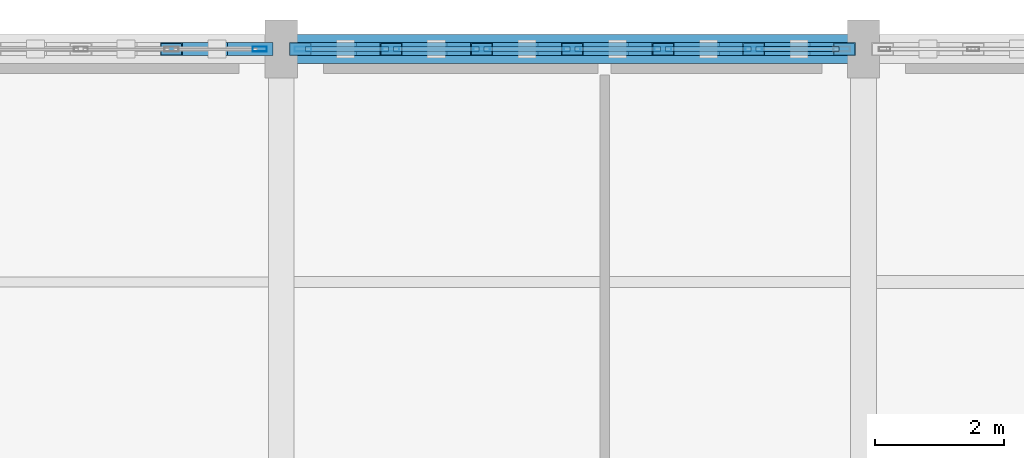
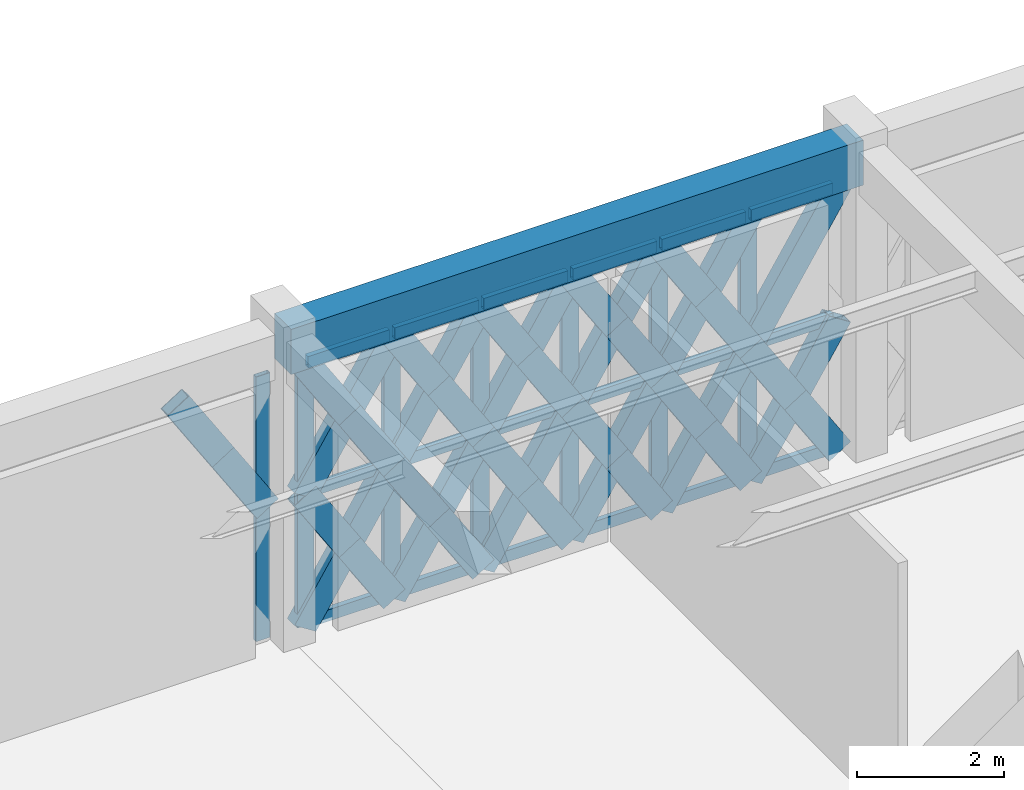
# One storey, part 44 of 86: 61 members, 1 beam, 2 elements without a shape of their own.
"""IFC4 building model written with IfcOpenShell, lengths in metres."""

from ifc_helpers import new_model, si_unit, direction, frame, origin, origin_2d, place, context, subcontext, project, spatial, rectangle, hollow_rectangle, extrude, material, material_profile, profile_set, type_object, element, aggregate, save


model = new_model("IFC4")

# Units and contexts
model_context = context("Model", 3, precision=1e-05, world=origin(), true_north=direction((0.0, 1.0)))
body_context = subcontext(model_context, "Body", "Model", "MODEL_VIEW")
ifc_project = project(units=[si_unit("LENGTHUNIT", "METRE"), si_unit("AREAUNIT", "SQUARE_METRE"), si_unit("VOLUMEUNIT", "CUBIC_METRE"), si_unit("PLANEANGLEUNIT", "RADIAN"), si_unit("MASSUNIT", "GRAM", prefix="KILO")], contexts=[model_context])

# Site, building, storey
site_placement = place(None, origin())
site = spatial("IfcSite", under=ifc_project, at=site_placement, CompositionType="ELEMENT")
building_placement = place(site_placement, origin())
building = spatial("IfcBuilding", under=site, at=building_placement, Name="Haizhuo Lancet Aquarium", CompositionType="ELEMENT")
storey_placement = place(building_placement, frame((0.0, 0.0, 16.199951171875)))
storey = spatial("IfcBuildingStorey", under=building, at=storey_placement, Name="L03", CompositionType="ELEMENT", Elevation=16.199951171875)

# Beam
ifc_material_1 = material(Name="Concrete C40/50", Category="concrete")
ifc_material_profile_1 = material_profile(ifc_material_1, rectangle(XDim=0.449951171875, YDim=0.75, at=origin_2d()), Name="RC-BM 450x750")
ifc_profile_set_1 = profile_set([ifc_material_profile_1], Name="Concrete C40/50")
beam_type = type_object("IfcBeamType", Name="BM-RC-450x750", PredefinedType="BEAM", material=ifc_profile_set_1)
beam_placement = place(storey_placement, frame((-9.0, 55.800048828125, 4.775146484375), z_axis=(1.0, 0.0, 0.0), x_axis=(0.0, 1.0, 0.0)))
element("IfcBeam", 1, at=beam_placement, inside=storey, type_object=beam_type, Name="L03 V5 primary girder BM-L03-V5-011", PredefinedType="BEAM", context=body_context, shape_type="SweptSolid", body=[
    extrude(rectangle(XDim=0.449951171875, YDim=0.75, at=origin_2d()), origin(), (0.0, 0.0, 1.0), 9.0),
])

# Curtain wall, member
ifc_material_2 = material(Name="Aluminium 6063-T6", Category="aluminium")
curtain_wall_type = type_object("IfcCurtainWallType", Name="CWD-8410x4400", PredefinedType="NOTDEFINED", material=ifc_material_2)
curtain_wall_1_placement = place(storey_placement, origin())
curtain_wall_1 = element("IfcCurtainWall", 2, at=curtain_wall_1_placement, inside=storey, type_object=curtain_wall_type, Name="L03 curtain wall CW-V5-L03-161", PredefinedType="NOTDEFINED")
ifc_material_profile_2 = material_profile(ifc_material_2, hollow_rectangle(XDim=0.074951171875, YDim=0.219970703125, WallThickness=0.0048828125, at=origin_2d()), Name="ALU-M 75x220x5")
ifc_profile_set_2 = profile_set([ifc_material_profile_2], Name="Aluminium 6063-T6")
member_type_1 = type_object("IfcMemberType", Name="CW-MUL-2", PredefinedType="MULLION", material=ifc_profile_set_2)
member_1_placement = place(storey_placement, frame((-9.33203125, 55.800048828125, 0.0), z_axis=(0.0, 0.0, 1.0), x_axis=(0.0, 1.0, 0.0)))
member_1 = element("IfcMember", 3, at=member_1_placement, type_object=member_type_1, Name="CWD-84x44 mullion 7", PredefinedType="MULLION", context=body_context, shape_type="SweptSolid", body=[
    extrude(hollow_rectangle(XDim=0.074951171875, YDim=0.219970703125, WallThickness=0.0048828125, at=origin_2d()), origin(), (0.0, 0.0, 1.0), 4.400146484375),
])
aggregate(curtain_wall_1, [member_1])

# Curtain wall, members
curtain_wall_2_placement = place(storey_placement, origin())
curtain_wall_2 = element("IfcCurtainWall", 4, at=curtain_wall_2_placement, inside=storey, type_object=curtain_wall_type, Name="L03 curtain wall CW-V5-L03-162", PredefinedType="NOTDEFINED")
ifc_material_profile_3 = material_profile(ifc_material_2, hollow_rectangle(XDim=0.080078125, YDim=0.260009765625, WallThickness=0.0048828125, at=origin_2d()), Name="ALU-M 80x260x5")
ifc_profile_set_3 = profile_set([ifc_material_profile_3], Name="Aluminium 6063-T6")
member_type_2 = type_object("IfcMemberType", Name="CW-MUL-3", PredefinedType="MULLION", material=ifc_profile_set_3)
member_2_placement = place(storey_placement, frame((-8.6650390625, 55.800048828125, 0.0), z_axis=(0.0, 0.0, 1.0), x_axis=(0.0, 1.0, 0.0)))
member_2 = element("IfcMember", 5, at=member_2_placement, type_object=member_type_2, Name="CWD-84x44 mullion 1", PredefinedType="MULLION", context=body_context, shape_type="SweptSolid", body=[
    extrude(hollow_rectangle(XDim=0.080078125, YDim=0.260009765625, WallThickness=0.0048828125, at=origin_2d()), origin(), (0.0, 0.0, 1.0), 4.400146484375),
])
member_3_placement = place(storey_placement, frame((-7.302978515625, 55.800048828125, 0.0), z_axis=(0.0, 0.0, 1.0), x_axis=(0.0, 1.0, 0.0)))
member_3 = element("IfcMember", 6, at=member_3_placement, type_object=member_type_2, Name="CWD-84x44 mullion 2", PredefinedType="MULLION", context=body_context, shape_type="SweptSolid", body=[
    extrude(hollow_rectangle(XDim=0.080078125, YDim=0.260009765625, WallThickness=0.0048828125, at=origin_2d()), origin(), (0.0, 0.0, 1.0), 4.400146484375),
])
member_4_placement = place(storey_placement, frame((-5.902099609375, 55.800048828125, 0.0), z_axis=(0.0, 0.0, 1.0), x_axis=(0.0, 1.0, 0.0)))
member_4 = element("IfcMember", 7, at=member_4_placement, type_object=member_type_2, Name="CWD-84x44 mullion 3", PredefinedType="MULLION", context=body_context, shape_type="SweptSolid", body=[
    extrude(hollow_rectangle(XDim=0.080078125, YDim=0.260009765625, WallThickness=0.0048828125, at=origin_2d()), origin(), (0.0, 0.0, 1.0), 4.400146484375),
])
member_5_placement = place(storey_placement, frame((-4.5, 55.800048828125, 0.0), z_axis=(0.0, 0.0, 1.0), x_axis=(0.0, 1.0, 0.0)))
member_5 = element("IfcMember", 8, at=member_5_placement, type_object=member_type_2, Name="CWD-84x44 mullion 4", PredefinedType="MULLION", context=body_context, shape_type="SweptSolid", body=[
    extrude(hollow_rectangle(XDim=0.080078125, YDim=0.260009765625, WallThickness=0.0048828125, at=origin_2d()), origin(), (0.0, 0.0, 1.0), 4.400146484375),
])
member_6_placement = place(storey_placement, frame((-3.097900390625, 55.800048828125, 0.0), z_axis=(0.0, 0.0, 1.0), x_axis=(0.0, 1.0, 0.0)))
member_6 = element("IfcMember", 9, at=member_6_placement, type_object=member_type_2, Name="CWD-84x44 mullion 5", PredefinedType="MULLION", context=body_context, shape_type="SweptSolid", body=[
    extrude(hollow_rectangle(XDim=0.080078125, YDim=0.260009765625, WallThickness=0.0048828125, at=origin_2d()), origin(), (0.0, 0.0, 1.0), 4.400146484375),
])
member_7_placement = place(storey_placement, frame((-1.697021484375, 55.800048828125, 0.0), z_axis=(0.0, 0.0, 1.0), x_axis=(0.0, 1.0, 0.0)))
member_7 = element("IfcMember", 10, at=member_7_placement, type_object=member_type_2, Name="CWD-84x44 mullion 6", PredefinedType="MULLION", context=body_context, shape_type="SweptSolid", body=[
    extrude(hollow_rectangle(XDim=0.080078125, YDim=0.260009765625, WallThickness=0.0048828125, at=origin_2d()), origin(), (0.0, 0.0, 1.0), 4.400146484375),
])
ifc_material_profile_4 = material_profile(ifc_material_2, hollow_rectangle(XDim=0.080078125, YDim=0.18994140625, WallThickness=0.0048828125, at=origin_2d()), Name="ALU-T 80x190x5")
ifc_profile_set_4 = profile_set([ifc_material_profile_4], Name="Aluminium 6063-T6")
member_type_3 = type_object("IfcMemberType", Name="CW-TRN-3", PredefinedType="NOTDEFINED", material=ifc_profile_set_4)
member_8_placement = place(storey_placement, frame((-8.625, 55.800048828125, 0.0400390625), z_axis=(1.0, 0.0, 0.0), x_axis=(0.0, 1.0, 0.0)))
member_8 = element("IfcMember", 11, at=member_8_placement, type_object=member_type_3, Name="CWD-84x44 transom 1.1", ObjectType="TRANSOM", PredefinedType="USERDEFINED", context=body_context, shape_type="SweptSolid", body=[
    extrude(hollow_rectangle(XDim=0.080078125, YDim=0.18994140625, WallThickness=0.0048828125, at=origin_2d()), origin(), (0.0, 0.0, 1.0), 1.281982421875),
])
member_9_placement = place(storey_placement, frame((-8.625, 55.800048828125, 2.199951171875), z_axis=(1.0, 0.0, 0.0), x_axis=(0.0, 1.0, 0.0)))
member_9 = element("IfcMember", 12, at=member_9_placement, type_object=member_type_3, Name="CWD-84x44 transom 1.2", ObjectType="TRANSOM", PredefinedType="USERDEFINED", context=body_context, shape_type="SweptSolid", body=[
    extrude(hollow_rectangle(XDim=0.080078125, YDim=0.18994140625, WallThickness=0.0048828125, at=origin_2d()), origin(), (0.0, 0.0, 1.0), 1.281982421875),
])
member_10_placement = place(storey_placement, frame((-8.625, 55.800048828125, 4.360107421875), z_axis=(1.0, 0.0, 0.0), x_axis=(0.0, 1.0, 0.0)))
member_10 = element("IfcMember", 13, at=member_10_placement, type_object=member_type_3, Name="CWD-84x44 transom 1.3", ObjectType="TRANSOM", PredefinedType="USERDEFINED", context=body_context, shape_type="SweptSolid", body=[
    extrude(hollow_rectangle(XDim=0.080078125, YDim=0.18994140625, WallThickness=0.0048828125, at=origin_2d()), origin(), (0.0, 0.0, 1.0), 1.281982421875),
])
member_11_placement = place(storey_placement, frame((-7.262939453125, 55.800048828125, 0.0400390625), z_axis=(1.0, 0.0, 0.0), x_axis=(0.0, 1.0, 0.0)))
member_11 = element("IfcMember", 14, at=member_11_placement, type_object=member_type_3, Name="CWD-84x44 transom 2.1", ObjectType="TRANSOM", PredefinedType="USERDEFINED", context=body_context, shape_type="SweptSolid", body=[
    extrude(hollow_rectangle(XDim=0.080078125, YDim=0.18994140625, WallThickness=0.0048828125, at=origin_2d()), origin(), (0.0, 0.0, 1.0), 1.321044921875),
])
member_12_placement = place(storey_placement, frame((-7.262939453125, 55.800048828125, 2.199951171875), z_axis=(1.0, 0.0, 0.0), x_axis=(0.0, 1.0, 0.0)))
member_12 = element("IfcMember", 15, at=member_12_placement, type_object=member_type_3, Name="CWD-84x44 transom 2.2", ObjectType="TRANSOM", PredefinedType="USERDEFINED", context=body_context, shape_type="SweptSolid", body=[
    extrude(hollow_rectangle(XDim=0.080078125, YDim=0.18994140625, WallThickness=0.0048828125, at=origin_2d()), origin(), (0.0, 0.0, 1.0), 1.321044921875),
])
member_13_placement = place(storey_placement, frame((-7.262939453125, 55.800048828125, 4.360107421875), z_axis=(1.0, 0.0, 0.0), x_axis=(0.0, 1.0, 0.0)))
member_13 = element("IfcMember", 16, at=member_13_placement, type_object=member_type_3, Name="CWD-84x44 transom 2.3", ObjectType="TRANSOM", PredefinedType="USERDEFINED", context=body_context, shape_type="SweptSolid", body=[
    extrude(hollow_rectangle(XDim=0.080078125, YDim=0.18994140625, WallThickness=0.0048828125, at=origin_2d()), origin(), (0.0, 0.0, 1.0), 1.321044921875),
])
member_14_placement = place(storey_placement, frame((-5.862060546875, 55.800048828125, 0.0400390625), z_axis=(1.0, 0.0, 0.0), x_axis=(0.0, 1.0, 0.0)))
member_14 = element("IfcMember", 17, at=member_14_placement, type_object=member_type_3, Name="CWD-84x44 transom 3.1", ObjectType="TRANSOM", PredefinedType="USERDEFINED", context=body_context, shape_type="SweptSolid", body=[
    extrude(hollow_rectangle(XDim=0.080078125, YDim=0.18994140625, WallThickness=0.0048828125, at=origin_2d()), origin(), (0.0, 0.0, 1.0), 1.322021484375),
])
member_15_placement = place(storey_placement, frame((-5.862060546875, 55.800048828125, 2.199951171875), z_axis=(1.0, 0.0, 0.0), x_axis=(0.0, 1.0, 0.0)))
member_15 = element("IfcMember", 18, at=member_15_placement, type_object=member_type_3, Name="CWD-84x44 transom 3.2", ObjectType="TRANSOM", PredefinedType="USERDEFINED", context=body_context, shape_type="SweptSolid", body=[
    extrude(hollow_rectangle(XDim=0.080078125, YDim=0.18994140625, WallThickness=0.0048828125, at=origin_2d()), origin(), (0.0, 0.0, 1.0), 1.322021484375),
])
member_16_placement = place(storey_placement, frame((-5.862060546875, 55.800048828125, 4.360107421875), z_axis=(1.0, 0.0, 0.0), x_axis=(0.0, 1.0, 0.0)))
member_16 = element("IfcMember", 19, at=member_16_placement, type_object=member_type_3, Name="CWD-84x44 transom 3.3", ObjectType="TRANSOM", PredefinedType="USERDEFINED", context=body_context, shape_type="SweptSolid", body=[
    extrude(hollow_rectangle(XDim=0.080078125, YDim=0.18994140625, WallThickness=0.0048828125, at=origin_2d()), origin(), (0.0, 0.0, 1.0), 1.322021484375),
])
member_17_placement = place(storey_placement, frame((-4.4599609375, 55.800048828125, 0.0400390625), z_axis=(1.0, 0.0, 0.0), x_axis=(0.0, 1.0, 0.0)))
member_17 = element("IfcMember", 20, at=member_17_placement, type_object=member_type_3, Name="CWD-84x44 transom 4.1", ObjectType="TRANSOM", PredefinedType="USERDEFINED", context=body_context, shape_type="SweptSolid", body=[
    extrude(hollow_rectangle(XDim=0.080078125, YDim=0.18994140625, WallThickness=0.0048828125, at=origin_2d()), origin(), (0.0, 0.0, 1.0), 1.322021484375),
])
member_18_placement = place(storey_placement, frame((-4.4599609375, 55.800048828125, 2.199951171875), z_axis=(1.0, 0.0, 0.0), x_axis=(0.0, 1.0, 0.0)))
member_18 = element("IfcMember", 21, at=member_18_placement, type_object=member_type_3, Name="CWD-84x44 transom 4.2", ObjectType="TRANSOM", PredefinedType="USERDEFINED", context=body_context, shape_type="SweptSolid", body=[
    extrude(hollow_rectangle(XDim=0.080078125, YDim=0.18994140625, WallThickness=0.0048828125, at=origin_2d()), origin(), (0.0, 0.0, 1.0), 1.322021484375),
])
member_19_placement = place(storey_placement, frame((-4.4599609375, 55.800048828125, 4.360107421875), z_axis=(1.0, 0.0, 0.0), x_axis=(0.0, 1.0, 0.0)))
member_19 = element("IfcMember", 22, at=member_19_placement, type_object=member_type_3, Name="CWD-84x44 transom 4.3", ObjectType="TRANSOM", PredefinedType="USERDEFINED", context=body_context, shape_type="SweptSolid", body=[
    extrude(hollow_rectangle(XDim=0.080078125, YDim=0.18994140625, WallThickness=0.0048828125, at=origin_2d()), origin(), (0.0, 0.0, 1.0), 1.322021484375),
])
member_20_placement = place(storey_placement, frame((-3.05810546875, 55.800048828125, 0.0400390625), z_axis=(1.0, 0.0, 0.0), x_axis=(0.0, 1.0, 0.0)))
member_20 = element("IfcMember", 23, at=member_20_placement, type_object=member_type_3, Name="CWD-84x44 transom 5.1", ObjectType="TRANSOM", PredefinedType="USERDEFINED", context=body_context, shape_type="SweptSolid", body=[
    extrude(hollow_rectangle(XDim=0.080078125, YDim=0.18994140625, WallThickness=0.0048828125, at=origin_2d()), origin(), (0.0, 0.0, 1.0), 1.321044921875),
])
member_21_placement = place(storey_placement, frame((-3.05810546875, 55.800048828125, 2.199951171875), z_axis=(1.0, 0.0, 0.0), x_axis=(0.0, 1.0, 0.0)))
member_21 = element("IfcMember", 24, at=member_21_placement, type_object=member_type_3, Name="CWD-84x44 transom 5.2", ObjectType="TRANSOM", PredefinedType="USERDEFINED", context=body_context, shape_type="SweptSolid", body=[
    extrude(hollow_rectangle(XDim=0.080078125, YDim=0.18994140625, WallThickness=0.0048828125, at=origin_2d()), origin(), (0.0, 0.0, 1.0), 1.321044921875),
])
member_22_placement = place(storey_placement, frame((-3.05810546875, 55.800048828125, 4.360107421875), z_axis=(1.0, 0.0, 0.0), x_axis=(0.0, 1.0, 0.0)))
member_22 = element("IfcMember", 25, at=member_22_placement, type_object=member_type_3, Name="CWD-84x44 transom 5.3", ObjectType="TRANSOM", PredefinedType="USERDEFINED", context=body_context, shape_type="SweptSolid", body=[
    extrude(hollow_rectangle(XDim=0.080078125, YDim=0.18994140625, WallThickness=0.0048828125, at=origin_2d()), origin(), (0.0, 0.0, 1.0), 1.321044921875),
])
member_23_placement = place(storey_placement, frame((-1.656982421875, 55.800048828125, 0.0400390625), z_axis=(1.0, 0.0, 0.0), x_axis=(0.0, 1.0, 0.0)))
member_23 = element("IfcMember", 26, at=member_23_placement, type_object=member_type_3, Name="CWD-84x44 transom 6.1", ObjectType="TRANSOM", PredefinedType="USERDEFINED", context=body_context, shape_type="SweptSolid", body=[
    extrude(hollow_rectangle(XDim=0.080078125, YDim=0.18994140625, WallThickness=0.0048828125, at=origin_2d()), origin(), (0.0, 0.0, 1.0), 1.281982421875),
])
member_24_placement = place(storey_placement, frame((-1.656982421875, 55.800048828125, 2.199951171875), z_axis=(1.0, 0.0, 0.0), x_axis=(0.0, 1.0, 0.0)))
member_24 = element("IfcMember", 27, at=member_24_placement, type_object=member_type_3, Name="CWD-84x44 transom 6.2", ObjectType="TRANSOM", PredefinedType="USERDEFINED", context=body_context, shape_type="SweptSolid", body=[
    extrude(hollow_rectangle(XDim=0.080078125, YDim=0.18994140625, WallThickness=0.0048828125, at=origin_2d()), origin(), (0.0, 0.0, 1.0), 1.281982421875),
])
member_25_placement = place(storey_placement, frame((-1.656982421875, 55.800048828125, 4.360107421875), z_axis=(1.0, 0.0, 0.0), x_axis=(0.0, 1.0, 0.0)))
member_25 = element("IfcMember", 28, at=member_25_placement, type_object=member_type_3, Name="CWD-84x44 transom 6.3", ObjectType="TRANSOM", PredefinedType="USERDEFINED", context=body_context, shape_type="SweptSolid", body=[
    extrude(hollow_rectangle(XDim=0.080078125, YDim=0.18994140625, WallThickness=0.0048828125, at=origin_2d()), origin(), (0.0, 0.0, 1.0), 1.281982421875),
])
aggregate(curtain_wall_2, [member_2, member_3, member_4, member_5, member_6, member_7, member_8, member_9, member_10, member_11, member_12, member_13, member_14, member_15, member_16, member_17, member_18, member_19, member_20, member_21, member_22, member_23, member_24, member_25])

# Members
ifc_material_3 = material(Name="Steel S355", Category="steel")
ifc_material_profile_5 = material_profile(ifc_material_3, hollow_rectangle(XDim=0.199951171875, YDim=0.39990234375, WallThickness=0.011962890625, at=origin_2d()), Name="RHS 200x400x12")
ifc_profile_set_5 = profile_set([ifc_material_profile_5], Name="Steel S355")
member_type_4 = type_object("IfcMemberType", Name="MEM-LB-RHS200x400", PredefinedType="BRACE", material=ifc_profile_set_5)
for number, where, z_axis, x_axis, name in (
    (29, (-9.294921875, 55.800048828125, 2.199951171875), (-0.537480823484, 0.0, 0.843275971664), (0.0, -1.0, 0.0), "Gothic lancet split diagonal brace CW-V5-L03-161 12B1"),
    (30, (-9.99609375, 55.800048828125, 3.300048828125), (-0.537347721811, 0.0, 0.843360792226), (0.0, -1.0, 0.0), "Gothic lancet split diagonal brace CW-V5-L03-161 12B2"),
):
    element("IfcMember", number, at=place(storey_placement, frame(where, z_axis=z_axis, x_axis=x_axis)), inside=storey, type_object=member_type_4, Name=name, PredefinedType="BRACE", context=body_context, shape_type="SweptSolid", body=[
        extrude(hollow_rectangle(XDim=0.199951171875, YDim=0.39990234375, WallThickness=0.011962890625, at=origin_2d()), origin(), (0.0, 0.0, 1.0), 1.304443359375),
    ])
member_26_placement = place(storey_placement, frame((-8.705078125, 55.800048828125, 0.0), z_axis=(0.537456690616, 0.0, 0.843291352803), x_axis=(0.0, 1.0, 0.0)))
element("IfcMember", 31, at=member_26_placement, inside=storey, type_object=member_type_4, Name="Gothic lancet continuous diagonal brace CW-V5-L03-162 1A", PredefinedType="BRACE", context=body_context, shape_type="SweptSolid", body=[
    extrude(hollow_rectangle(XDim=0.199951171875, YDim=0.39990234375, WallThickness=0.011962890625, at=origin_2d()), origin(), (0.0, 0.0, 1.0), 2.60888671875),
])
for number, where, z_axis, x_axis, name in (
    (32, (-7.302978515625, 55.800048828125, 0.0), (-0.537347721811, 0.0, 0.843360792226), (0.0, -1.0, 0.0), "Gothic lancet split diagonal brace CW-V5-L03-162 1B1"),
    (33, (-8.00390625, 55.800048828125, 1.10009765625), (-0.537565656685, 0.0, 0.843221895323), (0.0, -1.0, 0.0), "Gothic lancet split diagonal brace CW-V5-L03-162 1B2"),
):
    element("IfcMember", number, at=place(storey_placement, frame(where, z_axis=z_axis, x_axis=x_axis)), inside=storey, type_object=member_type_4, Name=name, PredefinedType="BRACE", context=body_context, shape_type="SweptSolid", body=[
        extrude(hollow_rectangle(XDim=0.199951171875, YDim=0.39990234375, WallThickness=0.011962890625, at=origin_2d()), origin(), (0.0, 0.0, 1.0), 1.304443359375),
    ])
member_27_placement = place(storey_placement, frame((-8.705078125, 55.800048828125, 2.199951171875), z_axis=(0.537414277668, 0.0, 0.843318382438), x_axis=(0.0, 1.0, 0.0)))
element("IfcMember", 34, at=member_27_placement, inside=storey, type_object=member_type_4, Name="Gothic lancet continuous diagonal brace CW-V5-L03-162 2A", PredefinedType="BRACE", context=body_context, shape_type="SweptSolid", body=[
    extrude(hollow_rectangle(XDim=0.199951171875, YDim=0.39990234375, WallThickness=0.011962890625, at=origin_2d()), origin(), (0.0, 0.0, 1.0), 2.60888671875),
])
for number, where, z_axis, x_axis, name in (
    (35, (-7.302978515625, 55.800048828125, 2.199951171875), (-0.537347721811, 0.0, 0.843360792226), (0.0, -1.0, 0.0), "Gothic lancet split diagonal brace CW-V5-L03-162 2B1"),
    (36, (-8.00390625, 55.800048828125, 3.300048828125), (-0.537480823484, 0.0, 0.843275971664), (0.0, -1.0, 0.0), "Gothic lancet split diagonal brace CW-V5-L03-162 2B2"),
):
    element("IfcMember", number, at=place(storey_placement, frame(where, z_axis=z_axis, x_axis=x_axis)), inside=storey, type_object=member_type_4, Name=name, PredefinedType="BRACE", context=body_context, shape_type="SweptSolid", body=[
        extrude(hollow_rectangle(XDim=0.199951171875, YDim=0.39990234375, WallThickness=0.011962890625, at=origin_2d()), origin(), (0.0, 0.0, 1.0), 1.304443359375),
    ])
member_28_placement = place(storey_placement, frame((-7.302978515625, 55.800048828125, 0.0), z_axis=(0.537123805961, 0.0, 0.843503418529), x_axis=(0.0, 1.0, 0.0)))
element("IfcMember", 37, at=member_28_placement, inside=storey, type_object=member_type_4, Name="Gothic lancet continuous diagonal brace CW-V5-L03-162 3A", PredefinedType="BRACE", context=body_context, shape_type="SweptSolid", body=[
    extrude(hollow_rectangle(XDim=0.199951171875, YDim=0.39990234375, WallThickness=0.011962890625, at=origin_2d()), origin(), (0.0, 0.0, 1.0), 2.608154296875),
])
member_29_placement = place(storey_placement, frame((-5.902099609375, 55.800048828125, 0.0), z_axis=(-0.537347721811, 0.0, 0.843360792226), x_axis=(0.0, -1.0, 0.0)))
element("IfcMember", 38, at=member_29_placement, inside=storey, type_object=member_type_4, Name="Gothic lancet split diagonal brace CW-V5-L03-162 3B1", PredefinedType="BRACE", context=body_context, shape_type="SweptSolid", body=[
    extrude(hollow_rectangle(XDim=0.199951171875, YDim=0.39990234375, WallThickness=0.011962890625, at=origin_2d()), origin(), (0.0, 0.0, 1.0), 1.304443359375),
])
member_30_placement = place(storey_placement, frame((-6.60302734375, 55.800048828125, 1.10009765625), z_axis=(-0.536899726761, 0.0, 0.843646065245), x_axis=(0.0, -1.0, 0.0)))
element("IfcMember", 39, at=member_30_placement, inside=storey, type_object=member_type_4, Name="Gothic lancet split diagonal brace CW-V5-L03-162 3B2", PredefinedType="BRACE", context=body_context, shape_type="SweptSolid", body=[
    extrude(hollow_rectangle(XDim=0.199951171875, YDim=0.39990234375, WallThickness=0.011962890625, at=origin_2d()), origin(), (0.0, 0.0, 1.0), 1.3037109375),
])
member_31_placement = place(storey_placement, frame((-7.302978515625, 55.800048828125, 2.199951171875), z_axis=(0.537081397964, 0.0, 0.843530421479), x_axis=(0.0, 1.0, 0.0)))
element("IfcMember", 40, at=member_31_placement, inside=storey, type_object=member_type_4, Name="Gothic lancet continuous diagonal brace CW-V5-L03-162 4A", PredefinedType="BRACE", context=body_context, shape_type="SweptSolid", body=[
    extrude(hollow_rectangle(XDim=0.199951171875, YDim=0.39990234375, WallThickness=0.011962890625, at=origin_2d()), origin(), (0.0, 0.0, 1.0), 2.6083984375),
])
member_32_placement = place(storey_placement, frame((-5.902099609375, 55.800048828125, 2.199951171875), z_axis=(-0.537347721811, 0.0, 0.843360792226), x_axis=(0.0, -1.0, 0.0)))
element("IfcMember", 41, at=member_32_placement, inside=storey, type_object=member_type_4, Name="Gothic lancet split diagonal brace CW-V5-L03-162 4B1", PredefinedType="BRACE", context=body_context, shape_type="SweptSolid", body=[
    extrude(hollow_rectangle(XDim=0.199951171875, YDim=0.39990234375, WallThickness=0.011962890625, at=origin_2d()), origin(), (0.0, 0.0, 1.0), 1.304443359375),
])
member_33_placement = place(storey_placement, frame((-6.60302734375, 55.800048828125, 3.300048828125), z_axis=(-0.536814913407, 0.0, 0.843700034813), x_axis=(0.0, -1.0, 0.0)))
element("IfcMember", 42, at=member_33_placement, inside=storey, type_object=member_type_4, Name="Gothic lancet split diagonal brace CW-V5-L03-162 4B2", PredefinedType="BRACE", context=body_context, shape_type="SweptSolid", body=[
    extrude(hollow_rectangle(XDim=0.199951171875, YDim=0.39990234375, WallThickness=0.011962890625, at=origin_2d()), origin(), (0.0, 0.0, 1.0), 1.303955078125),
])
member_34_placement = place(storey_placement, frame((-5.902099609375, 55.800048828125, 0.0), z_axis=(0.537456690616, 0.0, 0.843291352803), x_axis=(0.0, 1.0, 0.0)))
element("IfcMember", 43, at=member_34_placement, inside=storey, type_object=member_type_4, Name="Gothic lancet continuous diagonal brace CW-V5-L03-162 5A", PredefinedType="BRACE", context=body_context, shape_type="SweptSolid", body=[
    extrude(hollow_rectangle(XDim=0.199951171875, YDim=0.39990234375, WallThickness=0.011962890625, at=origin_2d()), origin(), (0.0, 0.0, 1.0), 2.60888671875),
])
for number, where, z_axis, x_axis, name in (
    (44, (-4.5, 55.800048828125, 0.0), (-0.537347721811, 0.0, 0.843360792226), (0.0, -1.0, 0.0), "Gothic lancet split diagonal brace CW-V5-L03-162 5B1"),
    (45, (-5.200927734375, 55.800048828125, 1.10009765625), (-0.537565656685, 0.0, 0.843221895323), (0.0, -1.0, 0.0), "Gothic lancet split diagonal brace CW-V5-L03-162 5B2"),
):
    element("IfcMember", number, at=place(storey_placement, frame(where, z_axis=z_axis, x_axis=x_axis)), inside=storey, type_object=member_type_4, Name=name, PredefinedType="BRACE", context=body_context, shape_type="SweptSolid", body=[
        extrude(hollow_rectangle(XDim=0.199951171875, YDim=0.39990234375, WallThickness=0.011962890625, at=origin_2d()), origin(), (0.0, 0.0, 1.0), 1.304443359375),
    ])
member_35_placement = place(storey_placement, frame((-5.902099609375, 55.800048828125, 2.199951171875), z_axis=(0.537414277668, 0.0, 0.843318382438), x_axis=(0.0, 1.0, 0.0)))
element("IfcMember", 46, at=member_35_placement, inside=storey, type_object=member_type_4, Name="Gothic lancet continuous diagonal brace CW-V5-L03-162 6A", PredefinedType="BRACE", context=body_context, shape_type="SweptSolid", body=[
    extrude(hollow_rectangle(XDim=0.199951171875, YDim=0.39990234375, WallThickness=0.011962890625, at=origin_2d()), origin(), (0.0, 0.0, 1.0), 2.60888671875),
])
for number, where, z_axis, x_axis, name in (
    (47, (-4.5, 55.800048828125, 2.199951171875), (-0.537347721811, 0.0, 0.843360792226), (0.0, -1.0, 0.0), "Gothic lancet split diagonal brace CW-V5-L03-162 6B1"),
    (48, (-5.200927734375, 55.800048828125, 3.300048828125), (-0.537480823484, 0.0, 0.843275971664), (0.0, -1.0, 0.0), "Gothic lancet split diagonal brace CW-V5-L03-162 6B2"),
):
    element("IfcMember", number, at=place(storey_placement, frame(where, z_axis=z_axis, x_axis=x_axis)), inside=storey, type_object=member_type_4, Name=name, PredefinedType="BRACE", context=body_context, shape_type="SweptSolid", body=[
        extrude(hollow_rectangle(XDim=0.199951171875, YDim=0.39990234375, WallThickness=0.011962890625, at=origin_2d()), origin(), (0.0, 0.0, 1.0), 1.304443359375),
    ])
member_36_placement = place(storey_placement, frame((-4.5, 55.800048828125, 0.0), z_axis=(0.537456690616, 0.0, 0.843291352803), x_axis=(0.0, 1.0, 0.0)))
element("IfcMember", 49, at=member_36_placement, inside=storey, type_object=member_type_4, Name="Gothic lancet continuous diagonal brace CW-V5-L03-162 7A", PredefinedType="BRACE", context=body_context, shape_type="SweptSolid", body=[
    extrude(hollow_rectangle(XDim=0.199951171875, YDim=0.39990234375, WallThickness=0.011962890625, at=origin_2d()), origin(), (0.0, 0.0, 1.0), 2.60888671875),
])
member_37_placement = place(storey_placement, frame((-3.097900390625, 55.800048828125, 0.0), z_axis=(-0.537480823484, 0.0, 0.843275971664), x_axis=(0.0, -1.0, 0.0)))
element("IfcMember", 50, at=member_37_placement, inside=storey, type_object=member_type_4, Name="Gothic lancet split diagonal brace CW-V5-L03-162 7B1", PredefinedType="BRACE", context=body_context, shape_type="SweptSolid", body=[
    extrude(hollow_rectangle(XDim=0.199951171875, YDim=0.39990234375, WallThickness=0.011962890625, at=origin_2d()), origin(), (0.0, 0.0, 1.0), 1.304443359375),
])
member_38_placement = place(storey_placement, frame((-3.799072265625, 55.800048828125, 1.10009765625), z_axis=(-0.537432551071, 0.0, 0.843306737225), x_axis=(0.0, -1.0, 0.0)))
element("IfcMember", 51, at=member_38_placement, inside=storey, type_object=member_type_4, Name="Gothic lancet split diagonal brace CW-V5-L03-162 7B2", PredefinedType="BRACE", context=body_context, shape_type="SweptSolid", body=[
    extrude(hollow_rectangle(XDim=0.199951171875, YDim=0.39990234375, WallThickness=0.011962890625, at=origin_2d()), origin(), (0.0, 0.0, 1.0), 1.30419921875),
])
member_39_placement = place(storey_placement, frame((-4.5, 55.800048828125, 2.199951171875), z_axis=(0.537414277668, 0.0, 0.843318382438), x_axis=(0.0, 1.0, 0.0)))
element("IfcMember", 52, at=member_39_placement, inside=storey, type_object=member_type_4, Name="Gothic lancet continuous diagonal brace CW-V5-L03-162 8A", PredefinedType="BRACE", context=body_context, shape_type="SweptSolid", body=[
    extrude(hollow_rectangle(XDim=0.199951171875, YDim=0.39990234375, WallThickness=0.011962890625, at=origin_2d()), origin(), (0.0, 0.0, 1.0), 2.60888671875),
])
for number, where, z_axis, x_axis, name in (
    (53, (-3.097900390625, 55.800048828125, 2.199951171875), (-0.537480823484, 0.0, 0.843275971664), (0.0, -1.0, 0.0), "Gothic lancet split diagonal brace CW-V5-L03-162 8B1"),
    (54, (-3.799072265625, 55.800048828125, 3.300048828125), (-0.537347721811, 0.0, 0.843360792226), (0.0, -1.0, 0.0), "Gothic lancet split diagonal brace CW-V5-L03-162 8B2"),
):
    element("IfcMember", number, at=place(storey_placement, frame(where, z_axis=z_axis, x_axis=x_axis)), inside=storey, type_object=member_type_4, Name=name, PredefinedType="BRACE", context=body_context, shape_type="SweptSolid", body=[
        extrude(hollow_rectangle(XDim=0.199951171875, YDim=0.39990234375, WallThickness=0.011962890625, at=origin_2d()), origin(), (0.0, 0.0, 1.0), 1.304443359375),
    ])
member_40_placement = place(storey_placement, frame((-3.097900390625, 55.800048828125, 0.0), z_axis=(0.537123805961, 0.0, 0.843503418529), x_axis=(0.0, 1.0, 0.0)))
element("IfcMember", 55, at=member_40_placement, inside=storey, type_object=member_type_4, Name="Gothic lancet continuous diagonal brace CW-V5-L03-162 9A", PredefinedType="BRACE", context=body_context, shape_type="SweptSolid", body=[
    extrude(hollow_rectangle(XDim=0.199951171875, YDim=0.39990234375, WallThickness=0.011962890625, at=origin_2d()), origin(), (0.0, 0.0, 1.0), 2.608154296875),
])
member_41_placement = place(storey_placement, frame((-1.697021484375, 55.800048828125, 0.0), z_axis=(-0.536814913407, 0.0, 0.843700034813), x_axis=(0.0, -1.0, 0.0)))
element("IfcMember", 56, at=member_41_placement, inside=storey, type_object=member_type_4, Name="Gothic lancet split diagonal brace CW-V5-L03-162 9B1", PredefinedType="BRACE", context=body_context, shape_type="SweptSolid", body=[
    extrude(hollow_rectangle(XDim=0.199951171875, YDim=0.39990234375, WallThickness=0.011962890625, at=origin_2d()), origin(), (0.0, 0.0, 1.0), 1.303955078125),
])
member_42_placement = place(storey_placement, frame((-2.39697265625, 55.800048828125, 1.10009765625), z_axis=(-0.537432551071, 0.0, 0.843306737225), x_axis=(0.0, -1.0, 0.0)))
element("IfcMember", 57, at=member_42_placement, inside=storey, type_object=member_type_4, Name="Gothic lancet split diagonal brace CW-V5-L03-162 9B2", PredefinedType="BRACE", context=body_context, shape_type="SweptSolid", body=[
    extrude(hollow_rectangle(XDim=0.199951171875, YDim=0.39990234375, WallThickness=0.011962890625, at=origin_2d()), origin(), (0.0, 0.0, 1.0), 1.30419921875),
])
member_43_placement = place(storey_placement, frame((-3.097900390625, 55.800048828125, 2.199951171875), z_axis=(0.537081397964, 0.0, 0.843530421479), x_axis=(0.0, 1.0, 0.0)))
element("IfcMember", 58, at=member_43_placement, inside=storey, type_object=member_type_4, Name="Gothic lancet continuous diagonal brace CW-V5-L03-162 10A", PredefinedType="BRACE", context=body_context, shape_type="SweptSolid", body=[
    extrude(hollow_rectangle(XDim=0.199951171875, YDim=0.39990234375, WallThickness=0.011962890625, at=origin_2d()), origin(), (0.0, 0.0, 1.0), 2.6083984375),
])
member_44_placement = place(storey_placement, frame((-1.697021484375, 55.800048828125, 2.199951171875), z_axis=(-0.536814913407, 0.0, 0.843700034813), x_axis=(0.0, -1.0, 0.0)))
element("IfcMember", 59, at=member_44_placement, inside=storey, type_object=member_type_4, Name="Gothic lancet split diagonal brace CW-V5-L03-162 10B1", PredefinedType="BRACE", context=body_context, shape_type="SweptSolid", body=[
    extrude(hollow_rectangle(XDim=0.199951171875, YDim=0.39990234375, WallThickness=0.011962890625, at=origin_2d()), origin(), (0.0, 0.0, 1.0), 1.303955078125),
])
member_45_placement = place(storey_placement, frame((-2.39697265625, 55.800048828125, 3.300048828125), z_axis=(-0.537347721811, 0.0, 0.843360792226), x_axis=(0.0, -1.0, 0.0)))
element("IfcMember", 60, at=member_45_placement, inside=storey, type_object=member_type_4, Name="Gothic lancet split diagonal brace CW-V5-L03-162 10B2", PredefinedType="BRACE", context=body_context, shape_type="SweptSolid", body=[
    extrude(hollow_rectangle(XDim=0.199951171875, YDim=0.39990234375, WallThickness=0.011962890625, at=origin_2d()), origin(), (0.0, 0.0, 1.0), 1.304443359375),
])
member_46_placement = place(storey_placement, frame((-1.697021484375, 55.800048828125, 0.0), z_axis=(0.537456690616, 0.0, 0.843291352803), x_axis=(0.0, 1.0, 0.0)))
element("IfcMember", 61, at=member_46_placement, inside=storey, type_object=member_type_4, Name="Gothic lancet continuous diagonal brace CW-V5-L03-162 11A", PredefinedType="BRACE", context=body_context, shape_type="SweptSolid", body=[
    extrude(hollow_rectangle(XDim=0.199951171875, YDim=0.39990234375, WallThickness=0.011962890625, at=origin_2d()), origin(), (0.0, 0.0, 1.0), 2.60888671875),
])
member_47_placement = place(storey_placement, frame((-0.294921875, 55.800048828125, 0.0), z_axis=(-0.537480823484, 0.0, 0.843275971664), x_axis=(0.0, -1.0, 0.0)))
element("IfcMember", 62, at=member_47_placement, inside=storey, type_object=member_type_4, Name="Gothic lancet split diagonal brace CW-V5-L03-162 11B1", PredefinedType="BRACE", context=body_context, shape_type="SweptSolid", body=[
    extrude(hollow_rectangle(XDim=0.199951171875, YDim=0.39990234375, WallThickness=0.011962890625, at=origin_2d()), origin(), (0.0, 0.0, 1.0), 1.304443359375),
])
member_48_placement = place(storey_placement, frame((-0.99609375, 55.800048828125, 1.10009765625), z_axis=(-0.537432551071, 0.0, 0.843306737225), x_axis=(0.0, -1.0, 0.0)))
element("IfcMember", 63, at=member_48_placement, inside=storey, type_object=member_type_4, Name="Gothic lancet split diagonal brace CW-V5-L03-162 11B2", PredefinedType="BRACE", context=body_context, shape_type="SweptSolid", body=[
    extrude(hollow_rectangle(XDim=0.199951171875, YDim=0.39990234375, WallThickness=0.011962890625, at=origin_2d()), origin(), (0.0, 0.0, 1.0), 1.30419921875),
])
member_49_placement = place(storey_placement, frame((-1.697021484375, 55.800048828125, 2.199951171875), z_axis=(0.537414277668, 0.0, 0.843318382438), x_axis=(0.0, 1.0, 0.0)))
element("IfcMember", 64, at=member_49_placement, inside=storey, type_object=member_type_4, Name="Gothic lancet continuous diagonal brace CW-V5-L03-162 12A", PredefinedType="BRACE", context=body_context, shape_type="SweptSolid", body=[
    extrude(hollow_rectangle(XDim=0.199951171875, YDim=0.39990234375, WallThickness=0.011962890625, at=origin_2d()), origin(), (0.0, 0.0, 1.0), 2.60888671875),
])

save(model, "model.ifc")
